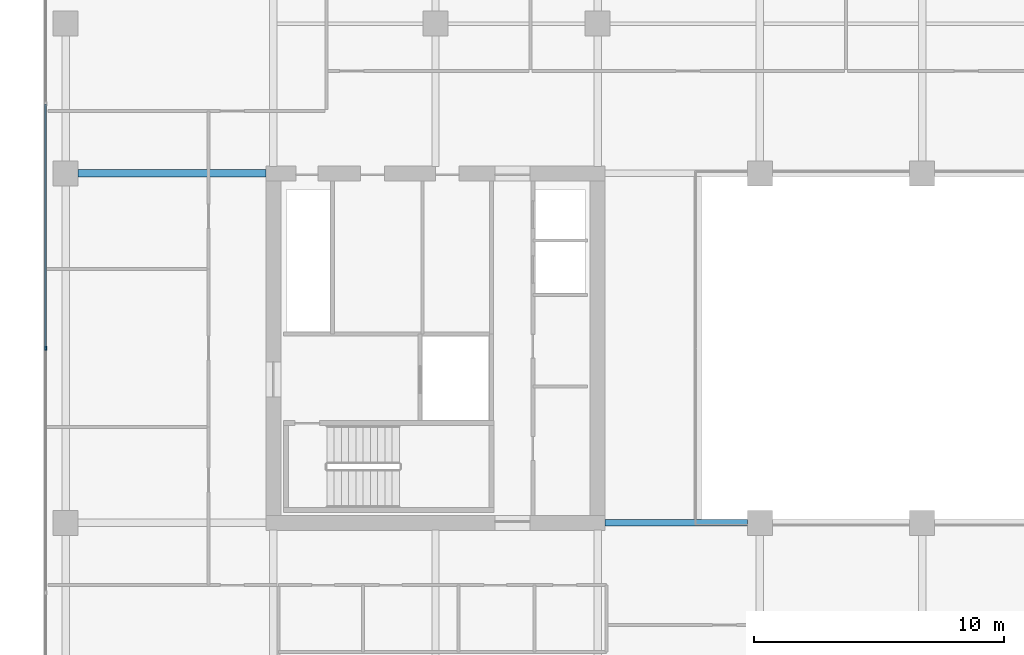
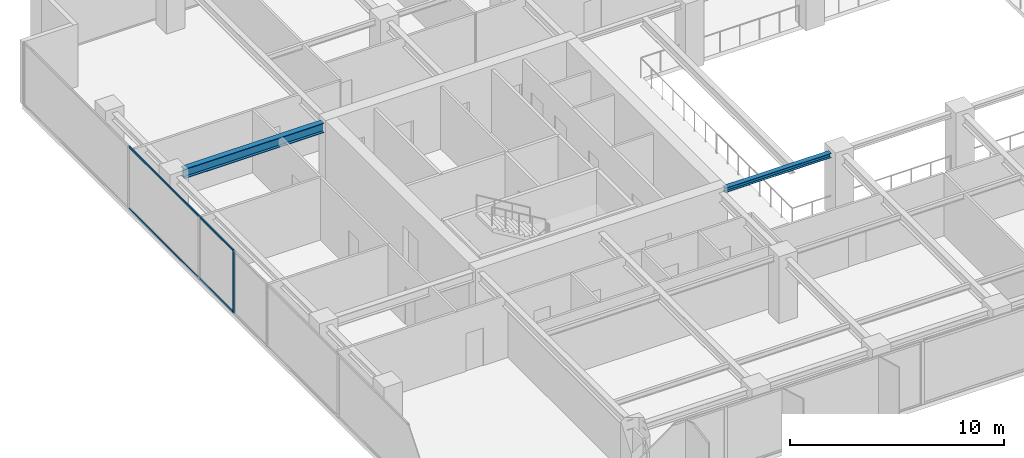
# One storey, part 4 of 22: 3 members, 2 beams, 1 element without a shape of its own.
"""IFC4 building model written with IfcOpenShell, lengths in metres."""

from ifc_helpers import new_model, si_unit, direction, frame, origin, origin_2d, place, context, subcontext, project, spatial, rectangle, i_section, extrude, material, layer, layer_set, material_profile, profile_set, type_object, element, aggregate, save


model = new_model("IFC4")

# Units and contexts
model_context = context("Model", 3, precision=1e-05, world=origin(), true_north=direction((0.0, 1.0)))
body_context = subcontext(model_context, "Body", "Model", "MODEL_VIEW")
ifc_project = project(units=[si_unit("LENGTHUNIT", "METRE"), si_unit("AREAUNIT", "SQUARE_METRE"), si_unit("VOLUMEUNIT", "CUBIC_METRE"), si_unit("PLANEANGLEUNIT", "RADIAN"), si_unit("MASSUNIT", "GRAM", prefix="KILO")], contexts=[model_context])

# Site, building, storey
site_placement = place(None, origin())
site = spatial("IfcSite", under=ifc_project, at=site_placement, CompositionType="ELEMENT")
building_placement = place(site_placement, origin())
building = spatial("IfcBuilding", under=site, at=building_placement, Name="Putna Gate Headquarters", CompositionType="ELEMENT")
storey_placement = place(building_placement, frame((0.0, 0.0, 159.39990234375)))
storey = spatial("IfcBuildingStorey", under=building, at=storey_placement, Name="L39", CompositionType="ELEMENT", Elevation=159.39990234375)

# Beams
ifc_material_1 = material(Name="Steel S355J2", Category="steel")
ifc_material_profile_1 = material_profile(ifc_material_1, i_section(OverallWidth=0.260009765625, OverallDepth=0.260009765625, WebThickness=0.010009765625, FlangeThickness=0.017578125, at=origin_2d()), Name="Steel S355J2")
ifc_profile_set_1 = profile_set([ifc_material_profile_1], Name="Steel S355J2")
beam_type_1 = type_object("IfcBeamType", Name="BM-ATRIUM-HEB260", PredefinedType="BEAM", material=ifc_profile_set_1)
beam_1_placement = place(storey_placement, frame((26.284912109375, 19.0, 3.442138671875), z_axis=(1.0, 0.0, 0.0), x_axis=(0.0, 1.0, 0.0)))
element("IfcBeam", 1, at=beam_1_placement, inside=storey, type_object=beam_type_1, Name="L39 Atrium Edge Beam AS1", PredefinedType="BEAM", context=body_context, shape_type="SweptSolid", body=[
    extrude(i_section(OverallWidth=0.260009765625, OverallDepth=0.260009765625, WebThickness=0.010009765625, FlangeThickness=0.017578125, at=origin_2d()), origin(), (0.0, 0.0, 1.0), 5.72705078125),
])
ifc_material_profile_2 = material_profile(ifc_material_1, i_section(OverallWidth=0.300048828125, OverallDepth=0.550048828125, WebThickness=0.014892578125, FlangeThickness=0.029052734375, at=origin_2d()), Name="Steel S355J2")
ifc_profile_set_2 = profile_set([ifc_material_profile_2], Name="Steel S355J2")
beam_type_2 = type_object("IfcBeamType", Name="BM-GIRD-Z3-HEB550", PredefinedType="USERDEFINED", material=ifc_profile_set_2)
beam_2_placement = place(storey_placement, frame((5.16796875, 33.0, 3.297119140625), z_axis=(1.0, 0.0, 0.0), x_axis=(0.0, 1.0, 0.0)))
element("IfcBeam", 2, at=beam_2_placement, inside=storey, type_object=beam_type_2, Name="L39 West Wing Girder Y33", ObjectType="GIRDER", PredefinedType="USERDEFINED", context=body_context, shape_type="SweptSolid", body=[
    extrude(i_section(OverallWidth=0.300048828125, OverallDepth=0.550048828125, WebThickness=0.014892578125, FlangeThickness=0.029052734375, at=origin_2d()), origin(), (0.0, 0.0, 1.0), 7.547119140625),
])

# Curtain wall, members
ifc_material_2 = material(Name="Anodised bronze aluminium curtain wall", Category="aluminium")
ifc_layer = layer(ifc_material_2, 0.159912109375)
ifc_layer_set = layer_set([ifc_layer], Name="Anodised bronze aluminium curtain wall")
curtain_wall_type = type_object("IfcCurtainWallType", Name="CW-SYS-Z3", PredefinedType="USERDEFINED", material=ifc_layer_set)
curtain_wall_placement = place(storey_placement, origin())
curtain_wall = element("IfcCurtainWall", 3, at=curtain_wall_placement, inside=storey, type_object=curtain_wall_type, Name="L39 West Curtain Wall", ObjectType="STICK CURTAIN WALL", PredefinedType="USERDEFINED")
ifc_material_3 = material(Name="Anodised bronze aluminium EN AW-6060", Category="aluminium")
ifc_material_profile_3 = material_profile(ifc_material_3, rectangle(XDim=0.06494140625, YDim=0.159912109375, at=origin_2d()), Name="Anodised bronze aluminium EN AW-6060")
ifc_profile_set_3 = profile_set([ifc_material_profile_3], Name="Anodised bronze aluminium EN AW-6060")
member_type_1 = type_object("IfcMemberType", Name="MULL-CWM-3", PredefinedType="MULLION", material=ifc_profile_set_3)
member_1_placement = place(storey_placement, frame((3.8798828125, 26.0, 0.0), z_axis=(0.0, 0.0, 1.0), x_axis=(-1.0, 0.0, 0.0)))
member_1 = element("IfcMember", 4, at=member_1_placement, type_object=member_type_1, Name="CWS-3 mullion 3", PredefinedType="MULLION", context=body_context, shape_type="SweptSolid", body=[
    extrude(rectangle(XDim=0.06494140625, YDim=0.159912109375, at=origin_2d()), origin(), (0.0, 0.0, 1.0), 3.572021484375),
])
ifc_material_profile_4 = material_profile(ifc_material_3, rectangle(XDim=0.06005859375, YDim=0.10009765625, at=origin_2d()), Name="Anodised bronze aluminium EN AW-6060")
ifc_profile_set_4 = profile_set([ifc_material_profile_4], Name="Anodised bronze aluminium EN AW-6060")
member_type_2 = type_object("IfcMemberType", Name="TRAN-CWT-3", PredefinedType="USERDEFINED", material=ifc_profile_set_4)
member_2_placement = place(storey_placement, frame((3.8798828125, 26.032470703125, 0.030029296875), z_axis=(0.0, 1.0, 0.0), x_axis=(-1.0, 0.0, 0.0)))
member_2 = element("IfcMember", 5, at=member_2_placement, type_object=member_type_2, Name="CWS-3 transom 3.1", ObjectType="TRANSOM", PredefinedType="USERDEFINED", context=body_context, shape_type="SweptSolid", body=[
    extrude(rectangle(XDim=0.06005859375, YDim=0.10009765625, at=origin_2d()), origin(), (0.0, 0.0, 1.0), 9.735107421875),
])
member_3_placement = place(storey_placement, frame((3.8798828125, 26.032470703125, 3.5419921875), z_axis=(0.0, 1.0, 0.0), x_axis=(-1.0, 0.0, 0.0)))
member_3 = element("IfcMember", 6, at=member_3_placement, type_object=member_type_2, Name="CWS-3 transom 3.2", ObjectType="TRANSOM", PredefinedType="USERDEFINED", context=body_context, shape_type="SweptSolid", body=[
    extrude(rectangle(XDim=0.06005859375, YDim=0.10009765625, at=origin_2d()), origin(), (0.0, 0.0, 1.0), 9.735107421875),
])
aggregate(curtain_wall, [member_1, member_2, member_3])

save(model, "model.ifc")
